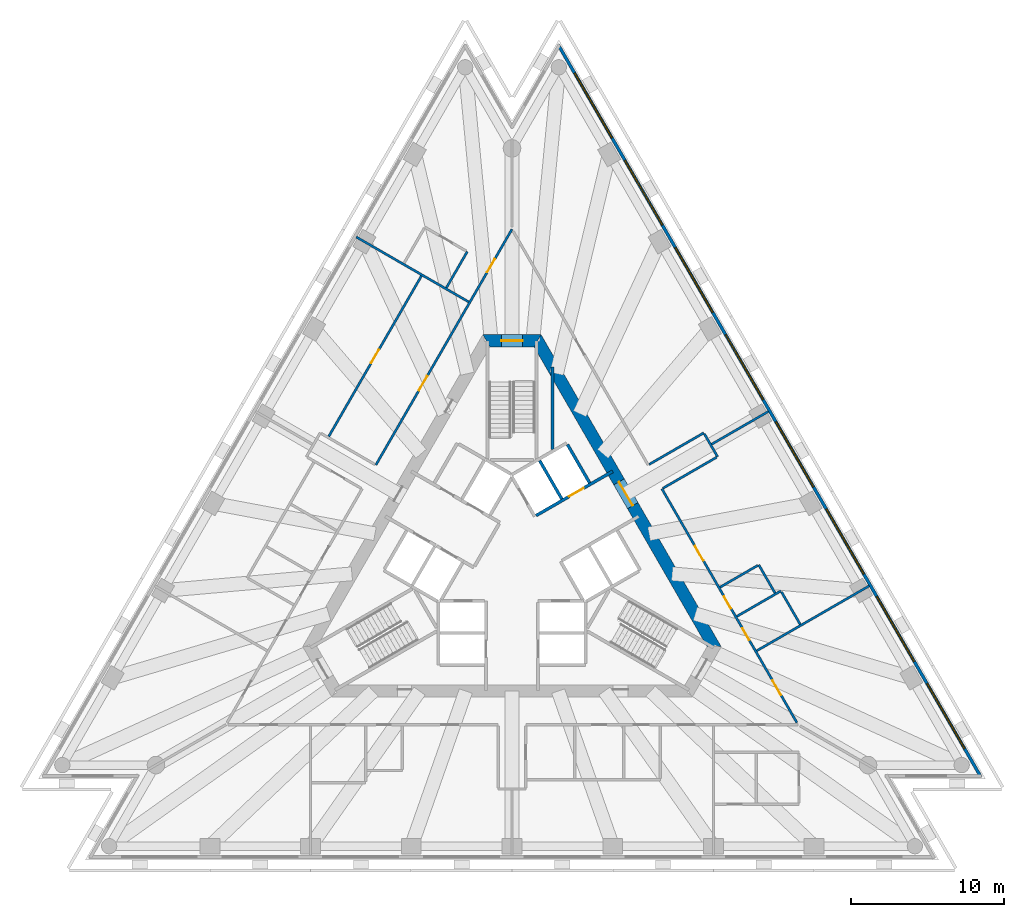
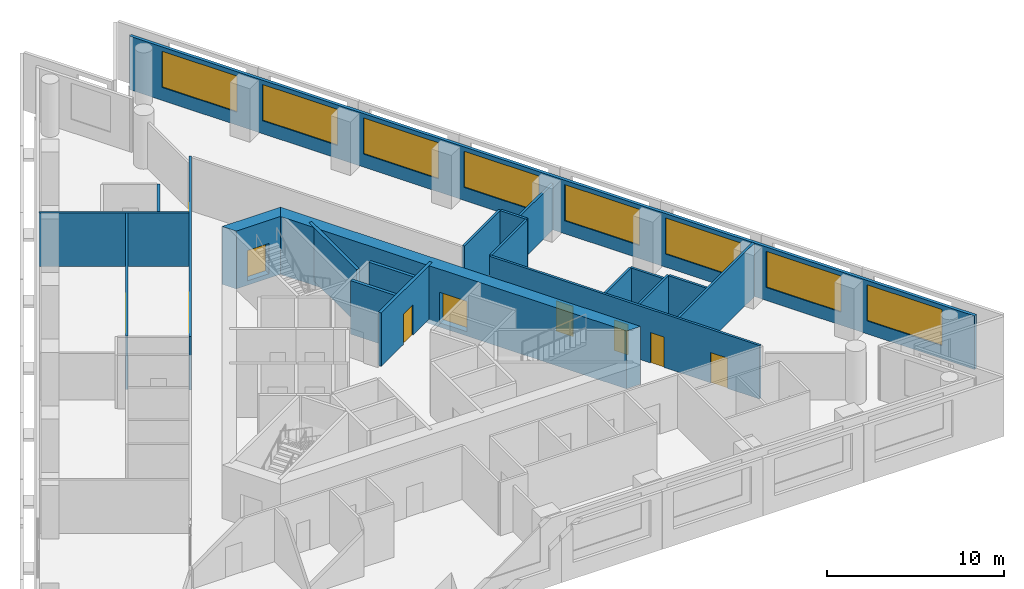
# One storey, part 6 of 10: 21 walls, 10 doors, 8 windows, 18 openings.
"""IFC4 building model written with IfcOpenShell, lengths in metres."""

from ifc_helpers import new_model, si_unit, direction, frame, frame_2d, origin, place, context, subcontext, project, spatial, polyline, rectangle, outline, extrude, material, layer, layer_set, layer_usage, type_object, element, fill, save


model = new_model("IFC4")

# Units and contexts
model_context = context("Model", 3, precision=1e-05, world=origin(), true_north=direction((0.0, 1.0)))
body_context = subcontext(model_context, "Body", "Model", "MODEL_VIEW")
ifc_project = project(units=[si_unit("LENGTHUNIT", "METRE"), si_unit("AREAUNIT", "SQUARE_METRE"), si_unit("VOLUMEUNIT", "CUBIC_METRE"), si_unit("PLANEANGLEUNIT", "RADIAN"), si_unit("MASSUNIT", "GRAM", prefix="KILO")], contexts=[model_context])

# Site, building, storey
site_placement = place(None, origin())
site = spatial("IfcSite", under=ifc_project, at=site_placement, CompositionType="ELEMENT")
building_placement = place(site_placement, origin())
building = spatial("IfcBuilding", under=site, at=building_placement, Name="Triada Interchange Tower", CompositionType="ELEMENT")
storey_placement = place(building_placement, frame((0.0, 0.0, 160.300048828125)))
storey = spatial("IfcBuildingStorey", under=building, at=storey_placement, Name="L37", CompositionType="ELEMENT", Elevation=160.300048828125)

# Wall, opening, door
ifc_material_1 = material(Name="Concrete C30/37", Category="concrete")
ifc_layer_1 = layer(ifc_material_1, 0.199951171875)
ifc_layer_set_1 = layer_set([ifc_layer_1], Name="CORE WALL 200 EI 120")
wall_type_1 = type_object("IfcWallType", Name="CORE WALL 200 EI 120", PredefinedType="SOLIDWALL", material=ifc_layer_set_1)
wall_1_placement = place(storey_placement, frame((1.576904296875, 2.8740234375, 0.0), z_axis=(0.0, 0.0, 1.0), x_axis=(0.866073694534, 0.499916348638, 0.0)))
wall_1 = element("IfcWall", 1, at=wall_1_placement, inside=storey, type_object=wall_type_1, Name="Wall L35 64", PredefinedType="SOLIDWALL", context=body_context, shape_type="SweptSolid", body=[
    extrude(rectangle(XDim=5.77685546875, YDim=0.199951171875, at=frame_2d((2.888427734375, 0.0))), origin(), (0.0, 0.0, 1.0), 3.699951171875),
])
opening_1_placement = place(wall_1_placement, frame((2.4970703125, 0.0, 0.0)))
opening_1 = element("IfcOpeningElement", 2, at=opening_1_placement, cuts=wall_1, Name="Opening LD-LR6", PredefinedType="OPENING", context=body_context, shape_type="SweptSolid", body=[
    extrude(rectangle(XDim=1.10009765625, YDim=2.10009765625, at=frame_2d((0.550048828125, 1.050048828125))), frame((0.0, 0.10986328125, 0.0), z_axis=(0.0, -1.0, 0.0), x_axis=(1.0, 0.0, 0.0)), (0.0, 0.0, 1.0), 0.219970703125),
])
ifc_material_2 = material(Name="Steel S235 door leaf", Category="steel")
door_type_1 = type_object("IfcDoorType", Name="LIFT LANDING DOOR 1100 EI 120", OperationType="SLIDING_TO_LEFT", PredefinedType="DOOR", material=ifc_material_2)
door_1_placement = place(opening_1_placement, origin())
door_1 = element("IfcDoor", 3, at=door_1_placement, inside=storey, type_object=door_type_1, Name="LR6 landing door L37", OperationType="SLIDING_TO_LEFT", OverallHeight=2.10009765625, OverallWidth=1.10009765625, PredefinedType="DOOR", context=body_context, shape_type="SweptSolid", body=[
    extrude(rectangle(XDim=1.10009765625, YDim=2.10009765625, at=frame_2d((0.550048828125, 1.050048828125))), frame((0.0, 0.02490234375, 0.0), z_axis=(0.0, -1.0, 0.0), x_axis=(1.0, 0.0, 0.0)), (0.0, 0.0, 1.0), 0.050048828125),
])
fill(opening_1, door_1)

# Walls
for number, where, z_axis, x_axis, name in (
    (4, (1.806884765625, 6.469970703125, 0.0), (0.0, 0.0, 1.0), (0.50012328804, -0.865954211699, 0.0), "Wall L35 67"),
    (5, (3.6259765625, 7.52001953125, 0.0), (0.0, 0.0, 1.0), (0.500060147554, -0.865990674793, 0.0), "Wall L35 69"),
):
    element("IfcWall", number, at=place(storey_placement, frame(where, z_axis=z_axis, x_axis=x_axis)), inside=storey, type_object=wall_type_1, Name=name, PredefinedType="SOLIDWALL", context=body_context, shape_type="SweptSolid", body=[
        extrude(rectangle(XDim=2.899658203125, YDim=0.199951171875, at=frame_2d((1.44970703125, 0.0))), origin(), (0.0, 0.0, 1.0), 3.699951171875),
    ])
ifc_layer_2 = layer(ifc_material_1, 0.199951171875)
ifc_layer_set_2 = layer_set([ifc_layer_2], Name="CORE WALL 200 EI 90")
wall_type_2 = type_object("IfcWallType", Name="CORE WALL 200 EI 90", PredefinedType="SOLIDWALL", material=ifc_layer_set_2)
wall_2_placement = place(storey_placement, frame((2.64404296875, 7.18505859375, 0.0), z_axis=(0.0, 0.0, 1.0), x_axis=(0.0, 1.0, 0.0)))
element("IfcWall", 6, at=wall_2_placement, inside=storey, type_object=wall_type_2, Name="Wall L35 88", PredefinedType="SOLIDWALL", context=body_context, shape_type="SweptSolid", body=[
    extrude(rectangle(XDim=5.39501953125, YDim=0.199951171875, at=frame_2d((2.697509765625, 0.0))), origin(), (0.0, 0.0, 1.0), 3.699951171875),
])

# Wall, opening, door
ifc_material_3 = material(Name="Concrete C60/75", Category="concrete")
ifc_layer_3 = layer(ifc_material_3, 0.800048828125)
ifc_layer_set_3 = layer_set([ifc_layer_3], Name="Core wall B 800")
wall_type_3 = type_object("IfcWallType", Name="Core wall B 800", PredefinedType="SHEAR", material=ifc_layer_set_3)
wall_3_placement = place(storey_placement, frame((1.674072265625, 14.300048828125, -0.300048828125), z_axis=(0.0, 0.0, 1.0), x_axis=(-1.0, 0.0, 0.0)))
wall_3 = element("IfcWall", 7, at=wall_3_placement, inside=storey, type_object=wall_type_3, Name="Core wall WB01 L37", PredefinedType="SHEAR", context=body_context, shape_type="SweptSolid", body=[
    extrude(outline(polyline([(-0.23095703125, -0.39990234375), (1.674072265625, -0.39990234375), (3.5791015625, -0.39990234375), (3.116943359375, 0.39990234375), (1.673828125, 0.39990234375), (0.23095703125, 0.39990234375), (-0.23095703125, -0.39990234375)])), origin(), (0.0, 0.0, 1.0), 4.0),
])
opening_2_placement = place(wall_3_placement, frame((0.97412109375, 0.0, 0.300048828125)))
opening_2 = element("IfcOpeningElement", 8, at=opening_2_placement, cuts=wall_3, Name="Opening D35-37", PredefinedType="OPENING", context=body_context, shape_type="SweptSolid", body=[
    extrude(rectangle(XDim=1.39990234375, YDim=2.10009765625, at=frame_2d((0.699951171875, 1.050048828125))), frame((0.0, 0.409912109375, 0.0), z_axis=(0.0, -1.0, 0.0), x_axis=(1.0, 0.0, 0.0)), (0.0, 0.0, 1.0), 0.820068359375),
])
door_type_2 = type_object("IfcDoorType", Name="STAIR DOOR 1400 EI2 90-C5S200", OperationType="DOUBLE_DOOR_SINGLE_SWING", PredefinedType="DOOR", material=ifc_material_2)
door_2_placement = place(opening_2_placement, origin())
door_2 = element("IfcDoor", 9, at=door_2_placement, inside=storey, type_object=door_type_2, Name="Door D35-37 L37", OperationType="DOUBLE_DOOR_SINGLE_SWING", OverallHeight=2.10009765625, OverallWidth=1.39990234375, PredefinedType="DOOR", context=body_context, shape_type="SweptSolid", body=[
    extrude(rectangle(XDim=1.39990234375, YDim=2.10009765625, at=frame_2d((0.699951171875, 1.050048828125))), frame((0.0, 0.02490234375, 0.0), z_axis=(0.0, -1.0, 0.0), x_axis=(1.0, 0.0, 0.0)), (0.0, 0.0, 1.0), 0.050048828125),
])
fill(opening_2, door_2)

wall_4_placement = place(storey_placement, frame((13.220947265625, -5.699951171875, -0.300048828125), z_axis=(0.0, 0.0, 1.0), x_axis=(-0.499995765644, 0.866027848477, 0.0)))
wall_4 = element("IfcWall", 10, at=wall_4_placement, inside=storey, type_object=wall_type_3, Name="Core wall WB06 L37", PredefinedType="SHEAR", context=body_context, shape_type="SweptSolid", body=[
    extrude(outline(polyline([(-0.23095703125, -0.39990234375), (1.73193359375, -0.39990234375), (3.695068359375, -0.39990234375), (5.657958984375, -0.39990234375), (7.62109375, -0.39990234375), (9.583984375, -0.39990234375), (11.546875, -0.39990234375), (13.510009765625, -0.39990234375), (15.472900390625, -0.39990234375), (17.43603515625, -0.39990234375), (19.39892578125, -0.39990234375), (21.362060546875, -0.39990234375), (23.324951171875, -0.39990234375), (22.863037109375, 0.39990234375), (20.97705078125, 0.39990234375), (19.091064453125, 0.39990234375), (17.205078125, 0.39990234375), (15.319091796875, 0.39990234375), (13.43310546875, 0.39990234375), (11.546875, 0.39990234375), (9.660888671875, 0.39990234375), (7.77490234375, 0.39990234375), (5.888916015625, 0.39990234375), (4.0029296875, 0.39990234375), (2.116943359375, 0.39990234375), (0.23095703125, 0.39990234375), (-0.23095703125, -0.39990234375)])), origin(), (0.0, 0.0, 1.0), 4.0),
])
opening_3_placement = place(wall_4_placement, frame((10.64697265625, 0.0, 0.300048828125)))
opening_3 = element("IfcOpeningElement", 11, at=opening_3_placement, cuts=wall_4, Name="Opening D35-36", PredefinedType="OPENING", context=body_context, shape_type="SweptSolid", body=[
    extrude(rectangle(XDim=1.800048828125, YDim=2.10009765625, at=frame_2d((0.89990234375, 1.050048828125))), frame((0.0, 0.409912109375, 0.0), z_axis=(0.0, -1.0, 0.0), x_axis=(1.0, 0.0, 0.0)), (0.0, 0.0, 1.0), 0.820068359375),
])
door_type_3 = type_object("IfcDoorType", Name="LOBBY DOOR 1800 EI2 90-C5S200", OperationType="DOUBLE_DOOR_SINGLE_SWING", PredefinedType="DOOR", material=ifc_material_2)
door_3_placement = place(opening_3_placement, origin())
door_3 = element("IfcDoor", 12, at=door_3_placement, inside=storey, type_object=door_type_3, Name="Door D35-36 L37", OperationType="DOUBLE_DOOR_SINGLE_SWING", OverallHeight=2.10009765625, OverallWidth=1.800048828125, PredefinedType="DOOR", context=body_context, shape_type="SweptSolid", body=[
    extrude(rectangle(XDim=1.800048828125, YDim=2.10009765625, at=frame_2d((0.89990234375, 1.050048828125))), frame((0.0, 0.02490234375, 0.0), z_axis=(0.0, -1.0, 0.0), x_axis=(1.0, 0.0, 0.0)), (0.0, 0.0, 1.0), 0.050048828125),
])
fill(opening_3, door_3)

# Wall, openings, windows
ifc_material_4 = material(Name="Cement board")
ifc_layer_4 = layer(ifc_material_4, 0.02001953125, Name="Cement board cladding")
ifc_material_5 = material(Name="Sheathing board")
ifc_layer_5 = layer(ifc_material_5, 0.014892578125, Name="Sheathing board")
ifc_material_6 = material(Name="Mineral wool")
ifc_layer_6 = layer(ifc_material_6, 0.14990234375, Name="Mineral wool between steel studs")
ifc_material_7 = material(Name="Gypsum board")
ifc_layer_7 = layer(ifc_material_7, 0.014892578125, Name="Plasterboard lining")
ifc_layer_set_4 = layer_set([ifc_layer_4, ifc_layer_5, ifc_layer_6, ifc_layer_7], Name="External wall 200")
ifc_layer_usage = layer_usage(ifc_layer_set_4, "AXIS2", "POSITIVE", -0.10009765625)
wall_type_4 = type_object("IfcWallType", Name="External wall 200", PredefinedType="ELEMENTEDWALL", material=ifc_layer_set_4)
wall_5_placement = place(storey_placement, frame((30.6640625, -14.219970703125, 0.0), z_axis=(0.0, 0.0, 1.0), x_axis=(-0.499984613623, 0.866034286931, 0.0)))
wall_5 = element("IfcWall", 13, at=wall_5_placement, inside=storey, type_object=wall_type_4, material=ifc_layer_usage, Name="External wall L37 NE", PredefinedType="ELEMENTEDWALL", context=body_context, shape_type="SweptSolid", body=[
    extrude(rectangle(XDim=55.273681640625, YDim=0.199951171875, at=frame_2d((27.63671875, 0.0))), origin(), (0.0, 0.0, 1.0), 3.699951171875),
])
opening_4_placement = place(wall_5_placement, frame((2.14599609375, 0.0, 0.89990234375)))
opening_4 = element("IfcOpeningElement", 14, at=opening_4_placement, cuts=wall_5, Name="Opening WB21", PredefinedType="OPENING", context=body_context, shape_type="SweptSolid", body=[
    extrude(rectangle(XDim=4.89990234375, YDim=2.5, at=frame_2d((2.449951171875, 1.25))), frame((0.0, 0.10986328125, 0.0), z_axis=(0.0, -1.0, 0.0), x_axis=(1.0, 0.0, 0.0)), (0.0, 0.0, 1.0), 0.219970703125),
])
opening_5_placement = place(wall_5_placement, frame((8.73193359375, 0.0, 0.89990234375)))
opening_5 = element("IfcOpeningElement", 15, at=opening_5_placement, cuts=wall_5, Name="Opening WB22", PredefinedType="OPENING", context=body_context, shape_type="SweptSolid", body=[
    extrude(rectangle(XDim=4.89990234375, YDim=2.5, at=frame_2d((2.449951171875, 1.25))), frame((0.0, 0.10986328125, 0.0), z_axis=(0.0, -1.0, 0.0), x_axis=(1.0, 0.0, 0.0)), (0.0, 0.0, 1.0), 0.219970703125),
])
opening_6_placement = place(wall_5_placement, frame((15.318115234375, 0.0, 0.89990234375)))
opening_6 = element("IfcOpeningElement", 16, at=opening_6_placement, cuts=wall_5, Name="Opening WB23", PredefinedType="OPENING", context=body_context, shape_type="SweptSolid", body=[
    extrude(rectangle(XDim=4.89990234375, YDim=2.5, at=frame_2d((2.449951171875, 1.25))), frame((0.0, 0.10986328125, 0.0), z_axis=(0.0, -1.0, 0.0), x_axis=(1.0, 0.0, 0.0)), (0.0, 0.0, 1.0), 0.219970703125),
])
opening_7_placement = place(wall_5_placement, frame((21.904052734375, 0.0, 0.89990234375)))
opening_7 = element("IfcOpeningElement", 17, at=opening_7_placement, cuts=wall_5, Name="Opening WB24", PredefinedType="OPENING", context=body_context, shape_type="SweptSolid", body=[
    extrude(rectangle(XDim=4.89990234375, YDim=2.5, at=frame_2d((2.449951171875, 1.25))), frame((0.0, 0.10986328125, 0.0), z_axis=(0.0, -1.0, 0.0), x_axis=(1.0, 0.0, 0.0)), (0.0, 0.0, 1.0), 0.219970703125),
])
opening_8_placement = place(wall_5_placement, frame((28.489990234375, 0.0, 0.89990234375)))
opening_8 = element("IfcOpeningElement", 18, at=opening_8_placement, cuts=wall_5, Name="Opening WB25", PredefinedType="OPENING", context=body_context, shape_type="SweptSolid", body=[
    extrude(rectangle(XDim=4.89990234375, YDim=2.5, at=frame_2d((2.449951171875, 1.25))), frame((0.0, 0.10986328125, 0.0), z_axis=(0.0, -1.0, 0.0), x_axis=(1.0, 0.0, 0.0)), (0.0, 0.0, 1.0), 0.219970703125),
])
opening_9_placement = place(wall_5_placement, frame((35.075927734375, 0.0, 0.89990234375)))
opening_9 = element("IfcOpeningElement", 19, at=opening_9_placement, cuts=wall_5, Name="Opening WB26", PredefinedType="OPENING", context=body_context, shape_type="SweptSolid", body=[
    extrude(rectangle(XDim=4.89990234375, YDim=2.5, at=frame_2d((2.449951171875, 1.25))), frame((0.0, 0.10986328125, 0.0), z_axis=(0.0, -1.0, 0.0), x_axis=(1.0, 0.0, 0.0)), (0.0, 0.0, 1.0), 0.219970703125),
])
opening_10_placement = place(wall_5_placement, frame((41.662109375, 0.0, 0.89990234375)))
opening_10 = element("IfcOpeningElement", 20, at=opening_10_placement, cuts=wall_5, Name="Opening WB27", PredefinedType="OPENING", context=body_context, shape_type="SweptSolid", body=[
    extrude(rectangle(XDim=4.89990234375, YDim=2.5, at=frame_2d((2.449951171875, 1.25))), frame((0.0, 0.10986328125, 0.0), z_axis=(0.0, -1.0, 0.0), x_axis=(1.0, 0.0, 0.0)), (0.0, 0.0, 1.0), 0.219970703125),
])
opening_11_placement = place(wall_5_placement, frame((48.248046875, 0.0, 0.89990234375)))
opening_11 = element("IfcOpeningElement", 21, at=opening_11_placement, cuts=wall_5, Name="Opening WB28", PredefinedType="OPENING", context=body_context, shape_type="SweptSolid", body=[
    extrude(rectangle(XDim=4.89990234375, YDim=2.5, at=frame_2d((2.449951171875, 1.25))), frame((0.0, 0.10986328125, 0.0), z_axis=(0.0, -1.0, 0.0), x_axis=(1.0, 0.0, 0.0)), (0.0, 0.0, 1.0), 0.219970703125),
])
ifc_material_8 = material(Name="Double glazed aluminium window", Category="aluminium")
window_type = type_object("IfcWindowType", Name="Ribbon window B face", PartitioningType="SINGLE_PANEL", PredefinedType="WINDOW", material=ifc_material_8)
window_1_placement = place(opening_4_placement, origin())
window_1 = element("IfcWindow", 22, at=window_1_placement, inside=storey, type_object=window_type, Name="Window L37 NE 1", OverallHeight=2.5, OverallWidth=4.89990234375, PartitioningType="SINGLE_PANEL", PredefinedType="WINDOW", context=body_context, shape_type="SweptSolid", body=[
    extrude(rectangle(XDim=4.89990234375, YDim=2.5, at=frame_2d((2.449951171875, 1.25))), frame((0.0, 0.030029296875, 0.0), z_axis=(0.0, -1.0, 0.0), x_axis=(1.0, 0.0, 0.0)), (0.0, 0.0, 1.0), 0.06005859375),
])
fill(opening_4, window_1)
window_2_placement = place(opening_5_placement, origin())
window_2 = element("IfcWindow", 23, at=window_2_placement, inside=storey, type_object=window_type, Name="Window L37 NE 2", OverallHeight=2.5, OverallWidth=4.89990234375, PartitioningType="SINGLE_PANEL", PredefinedType="WINDOW", context=body_context, shape_type="SweptSolid", body=[
    extrude(rectangle(XDim=4.89990234375, YDim=2.5, at=frame_2d((2.449951171875, 1.25))), frame((0.0, 0.030029296875, 0.0), z_axis=(0.0, -1.0, 0.0), x_axis=(1.0, 0.0, 0.0)), (0.0, 0.0, 1.0), 0.06005859375),
])
fill(opening_5, window_2)
window_3_placement = place(opening_6_placement, origin())
window_3 = element("IfcWindow", 24, at=window_3_placement, inside=storey, type_object=window_type, Name="Window L37 NE 3", OverallHeight=2.5, OverallWidth=4.89990234375, PartitioningType="SINGLE_PANEL", PredefinedType="WINDOW", context=body_context, shape_type="SweptSolid", body=[
    extrude(rectangle(XDim=4.89990234375, YDim=2.5, at=frame_2d((2.449951171875, 1.25))), frame((0.0, 0.030029296875, 0.0), z_axis=(0.0, -1.0, 0.0), x_axis=(1.0, 0.0, 0.0)), (0.0, 0.0, 1.0), 0.06005859375),
])
fill(opening_6, window_3)
window_4_placement = place(opening_7_placement, origin())
window_4 = element("IfcWindow", 25, at=window_4_placement, inside=storey, type_object=window_type, Name="Window L37 NE 4", OverallHeight=2.5, OverallWidth=4.89990234375, PartitioningType="SINGLE_PANEL", PredefinedType="WINDOW", context=body_context, shape_type="SweptSolid", body=[
    extrude(rectangle(XDim=4.89990234375, YDim=2.5, at=frame_2d((2.449951171875, 1.25))), frame((0.0, 0.030029296875, 0.0), z_axis=(0.0, -1.0, 0.0), x_axis=(1.0, 0.0, 0.0)), (0.0, 0.0, 1.0), 0.06005859375),
])
fill(opening_7, window_4)
window_5_placement = place(opening_8_placement, origin())
window_5 = element("IfcWindow", 26, at=window_5_placement, inside=storey, type_object=window_type, Name="Window L37 NE 5", OverallHeight=2.5, OverallWidth=4.89990234375, PartitioningType="SINGLE_PANEL", PredefinedType="WINDOW", context=body_context, shape_type="SweptSolid", body=[
    extrude(rectangle(XDim=4.89990234375, YDim=2.5, at=frame_2d((2.449951171875, 1.25))), frame((0.0, 0.030029296875, 0.0), z_axis=(0.0, -1.0, 0.0), x_axis=(1.0, 0.0, 0.0)), (0.0, 0.0, 1.0), 0.06005859375),
])
fill(opening_8, window_5)
window_6_placement = place(opening_9_placement, origin())
window_6 = element("IfcWindow", 27, at=window_6_placement, inside=storey, type_object=window_type, Name="Window L37 NE 6", OverallHeight=2.5, OverallWidth=4.89990234375, PartitioningType="SINGLE_PANEL", PredefinedType="WINDOW", context=body_context, shape_type="SweptSolid", body=[
    extrude(rectangle(XDim=4.89990234375, YDim=2.5, at=frame_2d((2.449951171875, 1.25))), frame((0.0, 0.030029296875, 0.0), z_axis=(0.0, -1.0, 0.0), x_axis=(1.0, 0.0, 0.0)), (0.0, 0.0, 1.0), 0.06005859375),
])
fill(opening_9, window_6)
window_7_placement = place(opening_10_placement, origin())
window_7 = element("IfcWindow", 28, at=window_7_placement, inside=storey, type_object=window_type, Name="Window L37 NE 7", OverallHeight=2.5, OverallWidth=4.89990234375, PartitioningType="SINGLE_PANEL", PredefinedType="WINDOW", context=body_context, shape_type="SweptSolid", body=[
    extrude(rectangle(XDim=4.89990234375, YDim=2.5, at=frame_2d((2.449951171875, 1.25))), frame((0.0, 0.030029296875, 0.0), z_axis=(0.0, -1.0, 0.0), x_axis=(1.0, 0.0, 0.0)), (0.0, 0.0, 1.0), 0.06005859375),
])
fill(opening_10, window_7)
window_8_placement = place(opening_11_placement, origin())
window_8 = element("IfcWindow", 29, at=window_8_placement, inside=storey, type_object=window_type, Name="Window L37 NE 8", OverallHeight=2.5, OverallWidth=4.89990234375, PartitioningType="SINGLE_PANEL", PredefinedType="WINDOW", context=body_context, shape_type="SweptSolid", body=[
    extrude(rectangle(XDim=4.89990234375, YDim=2.5, at=frame_2d((2.449951171875, 1.25))), frame((0.0, 0.030029296875, 0.0), z_axis=(0.0, -1.0, 0.0), x_axis=(1.0, 0.0, 0.0)), (0.0, 0.0, 1.0), 0.06005859375),
])
fill(opening_11, window_8)

# Wall
ifc_material_9 = material(Name="Gypsum board partition")
ifc_layer_8 = layer(ifc_material_9, 0.14990234375)
ifc_layer_set_5 = layer_set([ifc_layer_8], Name="PARTITION 150 EI 180")
wall_type_5 = type_object("IfcWallType", Name="PARTITION 150 EI 180", PredefinedType="PARTITIONING", material=ifc_layer_set_5)
wall_6_placement = place(storey_placement, frame((13.054931640625, 7.5380859375, 0.0), z_axis=(0.0, 0.0, 1.0), x_axis=(0.866070942811, 0.499921115796, 0.0)))
element("IfcWall", 30, at=wall_6_placement, inside=storey, type_object=wall_type_5, Name="Wall L35 2", PredefinedType="PARTITIONING", context=body_context, shape_type="SweptSolid", body=[
    extrude(rectangle(XDim=4.290771484375, YDim=0.14990234375, at=frame_2d((2.1455078125, 0.0))), origin(), (0.0, 0.0, 1.0), 3.199951171875),
])

# Wall, openings, doors
wall_7_placement = place(storey_placement, frame((-8.902099609375, 6.180908203125, 0.0), z_axis=(0.0, 0.0, 1.0), x_axis=(0.499992688384, 0.866029625107, 0.0)))
wall_7 = element("IfcWall", 31, at=wall_7_placement, inside=storey, type_object=wall_type_5, Name="Wall L35 7", PredefinedType="PARTITIONING", context=body_context, shape_type="SweptSolid", body=[
    extrude(rectangle(XDim=17.804443359375, YDim=0.14990234375, at=frame_2d((8.90234375, 0.0))), origin(), (0.0, 0.0, 1.0), 3.699951171875),
])
opening_12_placement = place(wall_7_placement, frame((14.553955078125, 0.0, 0.0)))
opening_12 = element("IfcOpeningElement", 32, at=opening_12_placement, cuts=wall_7, Name="Opening D35-27", PredefinedType="OPENING", context=body_context, shape_type="SweptSolid", body=[
    extrude(rectangle(XDim=1.0, YDim=2.10009765625, at=frame_2d((0.5, 1.050048828125))), frame((0.0, 0.0849609375, 0.0), z_axis=(0.0, -1.0, 0.0), x_axis=(1.0, 0.0, 0.0)), (0.0, 0.0, 1.0), 0.169921875),
])
opening_13_placement = place(wall_7_placement, frame((5.6201171875, 0.0, 0.0)))
opening_13 = element("IfcOpeningElement", 33, at=opening_13_placement, cuts=wall_7, Name="Opening D35-29", PredefinedType="OPENING", context=body_context, shape_type="SweptSolid", body=[
    extrude(rectangle(XDim=1.10009765625, YDim=2.10009765625, at=frame_2d((0.550048828125, 1.050048828125))), frame((0.0, 0.0849609375, 0.0), z_axis=(0.0, -1.0, 0.0), x_axis=(1.0, 0.0, 0.0)), (0.0, 0.0, 1.0), 0.169921875),
])
door_type_4 = type_object("IfcDoorType", Name="ROOM DOOR 1000 EI2 90-C5S200", OperationType="NOTDEFINED", PredefinedType="DOOR", material=ifc_material_2)
door_4_placement = place(opening_12_placement, origin())
door_4 = element("IfcDoor", 34, at=door_4_placement, inside=storey, type_object=door_type_4, Name="Door D35-27 L37", OperationType="SINGLE_SWING_RIGHT", OverallHeight=2.10009765625, OverallWidth=1.0, PredefinedType="DOOR", context=body_context, shape_type="SweptSolid", body=[
    extrude(rectangle(XDim=1.0, YDim=2.10009765625, at=frame_2d((0.5, 1.050048828125))), frame((0.0, 0.02490234375, 0.0), z_axis=(0.0, -1.0, 0.0), x_axis=(1.0, 0.0, 0.0)), (0.0, 0.0, 1.0), 0.050048828125),
])
fill(opening_12, door_4)
door_type_5 = type_object("IfcDoorType", Name="TENANCY ENTRANCE DOOR 1100 EI2 90-C5S200", OperationType="NOTDEFINED", PredefinedType="DOOR", material=ifc_material_2)
door_5_placement = place(opening_13_placement, origin())
door_5 = element("IfcDoor", 35, at=door_5_placement, inside=storey, type_object=door_type_5, Name="Door D35-29 L37", OperationType="SINGLE_SWING_LEFT", OverallHeight=2.10009765625, OverallWidth=1.10009765625, PredefinedType="DOOR", context=body_context, shape_type="SweptSolid", body=[
    extrude(rectangle(XDim=1.10009765625, YDim=2.10009765625, at=frame_2d((0.550048828125, 1.050048828125))), frame((0.0, 0.02490234375, 0.0), z_axis=(0.0, -1.0, 0.0), x_axis=(1.0, 0.0, 0.0)), (0.0, 0.0, 1.0), 0.050048828125),
])
fill(opening_13, door_5)

# Wall
wall_8_placement = place(storey_placement, frame((-10.18603515625, 21.091064453125, 0.0), z_axis=(0.0, 0.0, 1.0), x_axis=(0.866012267213, -0.500022752519, 0.0)))
element("IfcWall", 36, at=wall_8_placement, inside=storey, type_object=wall_type_5, Name="Wall L35 20", PredefinedType="PARTITIONING", context=body_context, shape_type="SweptSolid", body=[
    extrude(rectangle(XDim=8.49169921875, YDim=0.14990234375, at=frame_2d((4.245849609375, 0.0))), origin(), (0.0, 0.0, 1.0), 3.699951171875),
])

# Wall, openings, doors
wall_9_placement = place(storey_placement, frame((9.802978515625, 4.6201171875, 0.0), z_axis=(0.0, 0.0, 1.0), x_axis=(0.500017706633, -0.866015180614, 0.0)))
wall_9 = element("IfcWall", 37, at=wall_9_placement, inside=storey, type_object=wall_type_5, Name="Wall L35 29", PredefinedType="PARTITIONING", context=body_context, shape_type="SweptSolid", body=[
    extrude(rectangle(XDim=17.655517578125, YDim=0.14990234375, at=frame_2d((8.82763671875, 0.0))), origin(), (0.0, 0.0, 1.0), 3.699951171875),
])
opening_14_placement = place(wall_9_placement, frame((14.4560546875, 0.0, 0.0)))
opening_14 = element("IfcOpeningElement", 38, at=opening_14_placement, cuts=wall_9, Name="Opening D35-22", PredefinedType="OPENING", context=body_context, shape_type="SweptSolid", body=[
    extrude(rectangle(XDim=1.10009765625, YDim=2.10009765625, at=frame_2d((0.550048828125, 1.050048828125))), frame((0.0, 0.0849609375, 0.0), z_axis=(0.0, -1.0, 0.0), x_axis=(1.0, 0.0, 0.0)), (0.0, 0.0, 1.0), 0.169921875),
])
opening_15_placement = place(wall_9_placement, frame((4.321044921875, 0.0, 0.0)))
opening_15 = element("IfcOpeningElement", 39, at=opening_15_placement, cuts=wall_9, Name="Opening D35-23", PredefinedType="OPENING", context=body_context, shape_type="SweptSolid", body=[
    extrude(rectangle(XDim=1.10009765625, YDim=2.10009765625, at=frame_2d((0.550048828125, 1.050048828125))), frame((0.0, 0.0849609375, 0.0), z_axis=(0.0, -1.0, 0.0), x_axis=(1.0, 0.0, 0.0)), (0.0, 0.0, 1.0), 0.169921875),
])
opening_16_placement = place(wall_9_placement, frame((10.52099609375, 0.0, 0.0)))
opening_16 = element("IfcOpeningElement", 40, at=opening_16_placement, cuts=wall_9, Name="Opening D35-24", PredefinedType="OPENING", context=body_context, shape_type="SweptSolid", body=[
    extrude(rectangle(XDim=0.89990234375, YDim=2.10009765625, at=frame_2d((0.449951171875, 1.050048828125))), frame((0.0, 0.0849609375, 0.0), z_axis=(0.0, -1.0, 0.0), x_axis=(1.0, 0.0, 0.0)), (0.0, 0.0, 1.0), 0.169921875),
])
opening_17_placement = place(wall_9_placement, frame((8.12109375, 0.0, 0.0)))
opening_17 = element("IfcOpeningElement", 41, at=opening_17_placement, cuts=wall_9, Name="Opening D35-25", PredefinedType="OPENING", context=body_context, shape_type="SweptSolid", body=[
    extrude(rectangle(XDim=0.89990234375, YDim=2.10009765625, at=frame_2d((0.449951171875, 1.050048828125))), frame((0.0, 0.0849609375, 0.0), z_axis=(0.0, -1.0, 0.0), x_axis=(1.0, 0.0, 0.0)), (0.0, 0.0, 1.0), 0.169921875),
])
door_type_6 = type_object("IfcDoorType", Name="ROOM DOOR 900 EI2 90-C5S200", OperationType="NOTDEFINED", PredefinedType="DOOR", material=ifc_material_2)
door_6_placement = place(opening_16_placement, origin())
door_6 = element("IfcDoor", 42, at=door_6_placement, inside=storey, type_object=door_type_6, Name="Door D35-24 L37", OperationType="SINGLE_SWING_LEFT", OverallHeight=2.10009765625, OverallWidth=0.89990234375, PredefinedType="DOOR", context=body_context, shape_type="SweptSolid", body=[
    extrude(rectangle(XDim=0.89990234375, YDim=2.10009765625, at=frame_2d((0.449951171875, 1.050048828125))), frame((0.0, 0.02490234375, 0.0), z_axis=(0.0, -1.0, 0.0), x_axis=(1.0, 0.0, 0.0)), (0.0, 0.0, 1.0), 0.050048828125),
])
fill(opening_16, door_6)
door_type_7 = type_object("IfcDoorType", Name="SERVICE DOOR 900 EI2 90-C5S200", OperationType="NOTDEFINED", PredefinedType="DOOR", material=ifc_material_2)
door_7_placement = place(opening_17_placement, origin())
door_7 = element("IfcDoor", 43, at=door_7_placement, inside=storey, type_object=door_type_7, Name="Door D35-25 L37", OperationType="SINGLE_SWING_LEFT", OverallHeight=2.10009765625, OverallWidth=0.89990234375, PredefinedType="DOOR", context=body_context, shape_type="SweptSolid", body=[
    extrude(rectangle(XDim=0.89990234375, YDim=2.10009765625, at=frame_2d((0.449951171875, 1.050048828125))), frame((0.0, 0.02490234375, 0.0), z_axis=(0.0, -1.0, 0.0), x_axis=(1.0, 0.0, 0.0)), (0.0, 0.0, 1.0), 0.050048828125),
])
fill(opening_17, door_7)
door_8_placement = place(opening_14_placement, origin())
door_8 = element("IfcDoor", 44, at=door_8_placement, inside=storey, type_object=door_type_5, Name="Door D35-22 L37", OperationType="SINGLE_SWING_RIGHT", OverallHeight=2.10009765625, OverallWidth=1.10009765625, PredefinedType="DOOR", context=body_context, shape_type="SweptSolid", body=[
    extrude(rectangle(XDim=1.10009765625, YDim=2.10009765625, at=frame_2d((0.550048828125, 1.050048828125))), frame((0.0, 0.02490234375, 0.0), z_axis=(0.0, -1.0, 0.0), x_axis=(1.0, 0.0, 0.0)), (0.0, 0.0, 1.0), 0.050048828125),
])
fill(opening_14, door_8)
door_9_placement = place(opening_15_placement, origin())
door_9 = element("IfcDoor", 45, at=door_9_placement, inside=storey, type_object=door_type_5, Name="Door D35-23 L37", OperationType="SINGLE_SWING_LEFT", OverallHeight=2.10009765625, OverallWidth=1.10009765625, PredefinedType="DOOR", context=body_context, shape_type="SweptSolid", body=[
    extrude(rectangle(XDim=1.10009765625, YDim=2.10009765625, at=frame_2d((0.550048828125, 1.050048828125))), frame((0.0, 0.02490234375, 0.0), z_axis=(0.0, -1.0, 0.0), x_axis=(1.0, 0.0, 0.0)), (0.0, 0.0, 1.0), 0.050048828125),
])
fill(opening_15, door_9)

# Walls
wall_10_placement = place(storey_placement, frame((8.968994140625, 6.218017578125, 0.0), z_axis=(0.0, 0.0, 1.0), x_axis=(0.865997263264, 0.500048737644, 0.0)))
element("IfcWall", 46, at=wall_10_placement, inside=storey, type_object=wall_type_5, Name="Wall L35 30", PredefinedType="PARTITIONING", context=body_context, shape_type="SweptSolid", body=[
    extrude(rectangle(XDim=4.12353515625, YDim=0.14990234375, at=frame_2d((2.061767578125, 0.0))), origin(), (0.0, 0.0, 1.0), 3.699951171875),
])
wall_11_placement = place(storey_placement, frame((12.577880859375, 8.215087890625, 0.0), z_axis=(0.0, 0.0, 1.0), x_axis=(0.499746958151, -0.866171448282, 0.0)))
element("IfcWall", 47, at=wall_11_placement, inside=storey, type_object=wall_type_5, Name="Wall L35 31", PredefinedType="PARTITIONING", context=body_context, shape_type="SweptSolid", body=[
    extrude(rectangle(XDim=1.72509765625, YDim=0.14990234375, at=frame_2d((0.862548828125, 0.0))), origin(), (0.0, 0.0, 1.0), 3.699951171875),
])
wall_12_placement = place(storey_placement, frame((9.868896484375, 4.658935546875, 0.0), z_axis=(0.0, 0.0, 1.0), x_axis=(0.866033948129, 0.499985200469, 0.0)))
element("IfcWall", 48, at=wall_12_placement, inside=storey, type_object=wall_type_5, Name="Wall L35 36", PredefinedType="PARTITIONING", context=body_context, shape_type="SweptSolid", body=[
    extrude(rectangle(XDim=4.04833984375, YDim=0.14990234375, at=frame_2d((2.024169921875, 0.0))), origin(), (0.0, 0.0, 1.0), 3.699951171875),
])
wall_13_placement = place(storey_placement, frame((16.136962890625, -0.35009765625, 0.0), z_axis=(0.0, 0.0, 1.0), x_axis=(0.499921421619, -0.866070766281, 0.0)))
element("IfcWall", 49, at=wall_13_placement, inside=storey, type_object=wall_type_5, Name="Wall L35 38", PredefinedType="PARTITIONING", context=body_context, shape_type="SweptSolid", body=[
    extrude(rectangle(XDim=2.124267578125, YDim=0.14990234375, at=frame_2d((1.06201171875, 0.0))), origin(), (0.0, 0.0, 1.0), 3.699951171875),
])
wall_14_placement = place(storey_placement, frame((13.60400390625, -1.81201171875, 0.0), z_axis=(0.0, 0.0, 1.0), x_axis=(0.866004402611, 0.500036373335, 0.0)))
element("IfcWall", 50, at=wall_14_placement, inside=storey, type_object=wall_type_5, Name="Wall L35 39", PredefinedType="PARTITIONING", context=body_context, shape_type="SweptSolid", body=[
    extrude(rectangle(XDim=2.849853515625, YDim=0.14990234375, at=frame_2d((1.4248046875, 0.0))), origin(), (0.0, 0.0, 1.0), 3.699951171875),
])
wall_15_placement = place(storey_placement, frame((14.7041015625, -3.718017578125, 0.0), z_axis=(0.0, 0.0, 1.0), x_axis=(0.865901827335, 0.500213979631, 0.0)))
element("IfcWall", 51, at=wall_15_placement, inside=storey, type_object=wall_type_5, Name="Wall L35 40", PredefinedType="PARTITIONING", context=body_context, shape_type="SweptSolid", body=[
    extrude(rectangle(XDim=3.32470703125, YDim=0.14990234375, at=frame_2d((1.662353515625, 0.0))), origin(), (0.0, 0.0, 1.0), 3.699951171875),
])
wall_16_placement = place(storey_placement, frame((16.00390625, -5.968994140625, 0.0), z_axis=(0.0, 0.0, 1.0), x_axis=(0.866045766046, 0.49996472987, 0.0)))
element("IfcWall", 52, at=wall_16_placement, inside=storey, type_object=wall_type_5, Name="Wall L35 41", PredefinedType="PARTITIONING", context=body_context, shape_type="SweptSolid", body=[
    extrude(rectangle(XDim=8.490234375, YDim=0.14990234375, at=frame_2d((4.2451171875, 0.0))), origin(), (0.0, 0.0, 1.0), 3.699951171875),
])
wall_17_placement = place(storey_placement, frame((17.62109375, -2.1201171875, 0.0), z_axis=(0.0, 0.0, 1.0), x_axis=(0.499943856944, -0.866057815567, 0.0)))
element("IfcWall", 53, at=wall_17_placement, inside=storey, type_object=wall_type_5, Name="Wall L35 42", PredefinedType="PARTITIONING", context=body_context, shape_type="SweptSolid", body=[
    extrude(rectangle(XDim=2.449951171875, YDim=0.14990234375, at=frame_2d((1.22509765625, 0.0))), origin(), (0.0, 0.0, 1.0), 3.699951171875),
])

# Wall, opening, door
ifc_layer_9 = layer(ifc_material_9, 0.14990234375)
ifc_layer_set_6 = layer_set([ifc_layer_9], Name="PARTITION 150 EI 90")
wall_type_6 = type_object("IfcWallType", Name="PARTITION 150 EI 90", PredefinedType="PARTITIONING", material=ifc_layer_set_6)
wall_18_placement = place(storey_placement, frame((-11.98291015625, 8.044921875, 0.0), z_axis=(0.0, 0.0, 1.0), x_axis=(0.49998396455, 0.866034661658, 0.0)))
wall_18 = element("IfcWall", 54, at=wall_18_placement, inside=storey, type_object=wall_type_6, Name="Wall L35 43", PredefinedType="PARTITIONING", context=body_context, shape_type="SweptSolid", body=[
    extrude(rectangle(XDim=12.1220703125, YDim=0.14990234375, at=frame_2d((6.06103515625, 0.0))), origin(), (0.0, 0.0, 1.0), 3.699951171875),
])
opening_18_placement = place(wall_18_placement, frame((5.547119140625, 0.0, 0.0)))
opening_18 = element("IfcOpeningElement", 55, at=opening_18_placement, cuts=wall_18, Name="Opening D35-30", PredefinedType="OPENING", context=body_context, shape_type="SweptSolid", body=[
    extrude(rectangle(XDim=1.0, YDim=2.10009765625, at=frame_2d((0.5, 1.050048828125))), frame((0.0, 0.0849609375, 0.0), z_axis=(0.0, -1.0, 0.0), x_axis=(1.0, 0.0, 0.0)), (0.0, 0.0, 1.0), 0.169921875),
])
door_type_8 = type_object("IfcDoorType", Name="ROOM DOOR 1000 EI2 45-C5S200", OperationType="NOTDEFINED", PredefinedType="DOOR", material=ifc_material_2)
door_10_placement = place(opening_18_placement, origin())
door_10 = element("IfcDoor", 56, at=door_10_placement, inside=storey, type_object=door_type_8, Name="Door D35-30 L37", OperationType="SINGLE_SWING_RIGHT", OverallHeight=2.10009765625, OverallWidth=1.0, PredefinedType="DOOR", context=body_context, shape_type="SweptSolid", body=[
    extrude(rectangle(XDim=1.0, YDim=2.10009765625, at=frame_2d((0.5, 1.050048828125))), frame((0.0, 0.02490234375, 0.0), z_axis=(0.0, -1.0, 0.0), x_axis=(1.0, 0.0, 0.0)), (0.0, 0.0, 1.0), 0.050048828125),
])
fill(opening_18, door_10)

# Wall
wall_19_placement = place(storey_placement, frame((-4.2880859375, 17.77294921875, 0.0), z_axis=(0.0, 0.0, 1.0), x_axis=(0.500004325324, 0.866022906543, 0.0)))
element("IfcWall", 57, at=wall_19_placement, inside=storey, type_object=wall_type_6, Name="Wall L35 44", PredefinedType="PARTITIONING", context=body_context, shape_type="SweptSolid", body=[
    extrude(rectangle(XDim=2.72412109375, YDim=0.14990234375, at=frame_2d((1.362060546875, 0.0))), origin(), (0.0, 0.0, 1.0), 3.699951171875),
])

save(model, "model.ifc")
